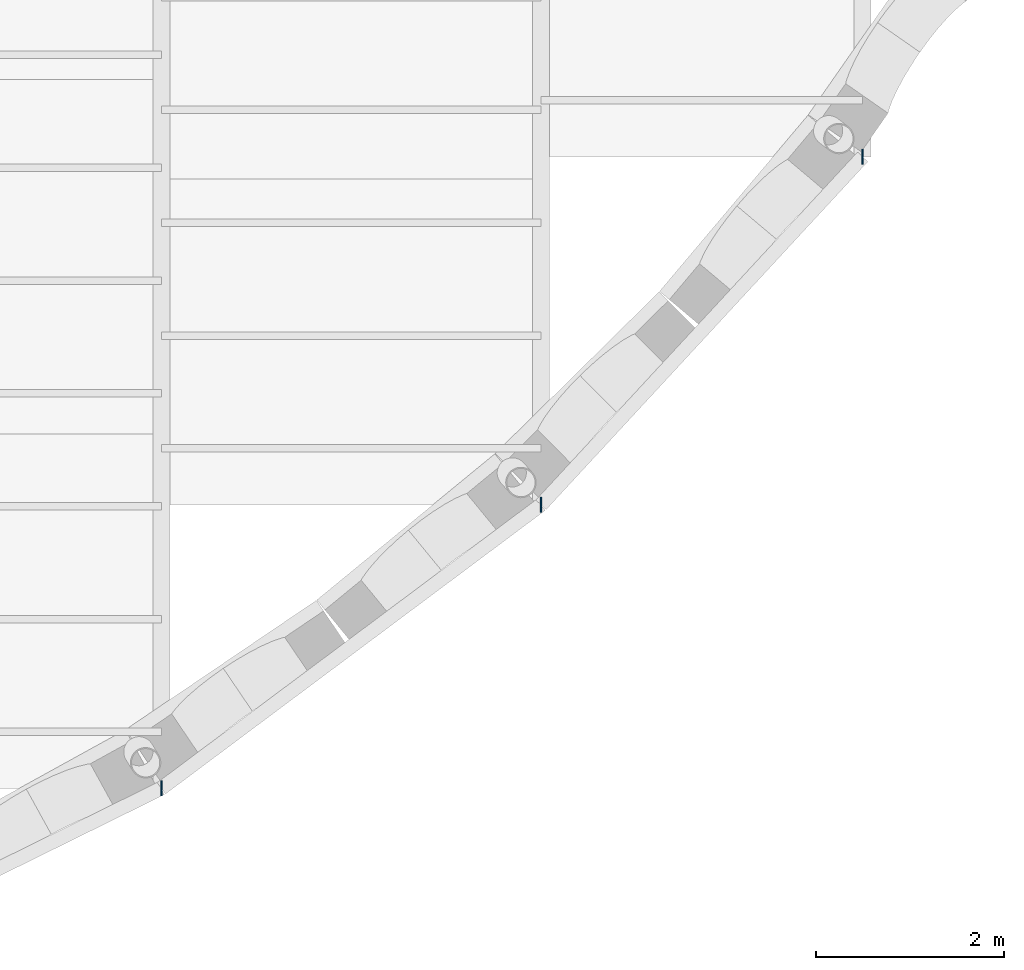
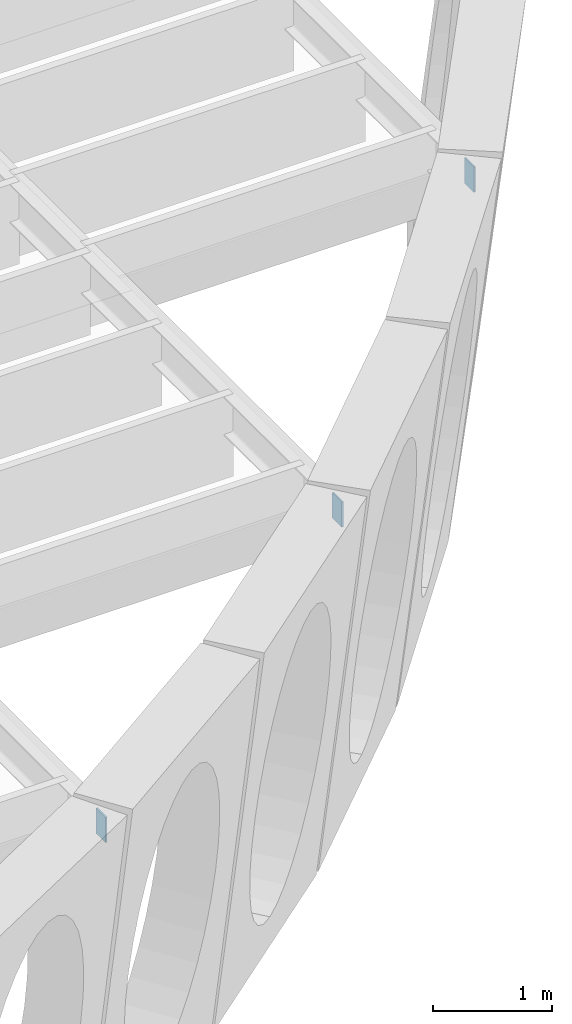
# One storey, part 23 of 47: 3 plates.
"""IFC4 building model written with IfcOpenShell, lengths in metres."""

from ifc_helpers import new_model, si_unit, direction, frame, origin, origin_2d, place, context, subcontext, project, spatial, rectangle, extrude, material, layer, layer_set, type_object, element, save


model = new_model("IFC4")

# Units and contexts
model_context = context("Model", 3, precision=1e-05, world=origin(), true_north=direction((0.0, 1.0)))
body_context = subcontext(model_context, "Body", "Model", "MODEL_VIEW")
ifc_project = project(units=[si_unit("LENGTHUNIT", "METRE"), si_unit("AREAUNIT", "SQUARE_METRE"), si_unit("VOLUMEUNIT", "CUBIC_METRE"), si_unit("PLANEANGLEUNIT", "RADIAN"), si_unit("MASSUNIT", "GRAM", prefix="KILO")], contexts=[model_context])

# Site, building, storey
site_placement = place(None, origin())
site = spatial("IfcSite", under=ifc_project, at=site_placement, CompositionType="ELEMENT")
building_placement = place(site_placement, origin())
building = spatial("IfcBuilding", under=site, at=building_placement, Name="Mawjan Specialist Oncology Clinic", CompositionType="ELEMENT")
storey_placement = place(building_placement, frame((0.0, 0.0, 9.5)))
storey = spatial("IfcBuildingStorey", under=building, at=storey_placement, Name="L02", CompositionType="ELEMENT", Elevation=9.5)

# Plates
ifc_material = material(Name="Structural steel S355", Category="steel")
ifc_layer = layer(ifc_material, 0.01611328125, Name="Structural steel S355", Category="steel")
ifc_layer_set = layer_set([ifc_layer], Name="Structural steel S355")
plate_type = type_object("IfcPlateType", Name="EC-16", PredefinedType="SHEET", material=ifc_layer_set)
for number, where, z_axis, x_axis, name in (
    (1, (98.388671875, 5.519775390625, 3.64501953125), (0.0, 0.0, 1.0), (1.0, 0.0, 0.0), "HSS End-Cap Plate EC-009"),
    (2, (102.426513671875, 8.53515625, 3.64501953125), (0.0, 0.0, 1.0), (1.0, 0.0, 0.0), "HSS End-Cap Plate EC-010"),
    (3, (105.847412109375, 12.23583984375, 3.64501953125), (0.0, 0.0, 1.0), (1.0, 0.0, 0.0), "HSS End-Cap Plate EC-011"),
):
    element("IfcPlate", number, at=place(storey_placement, frame(where, z_axis=z_axis, x_axis=x_axis)), inside=storey, type_object=plate_type, Name=name, PredefinedType="SHEET", context=body_context, shape_type="SweptSolid", body=[
        extrude(rectangle(XDim=0.01611328125, YDim=0.159912109375, at=origin_2d()), origin(), (0.0, 0.0, 1.0), 0.260009765625),
    ])

save(model, "model.ifc")
